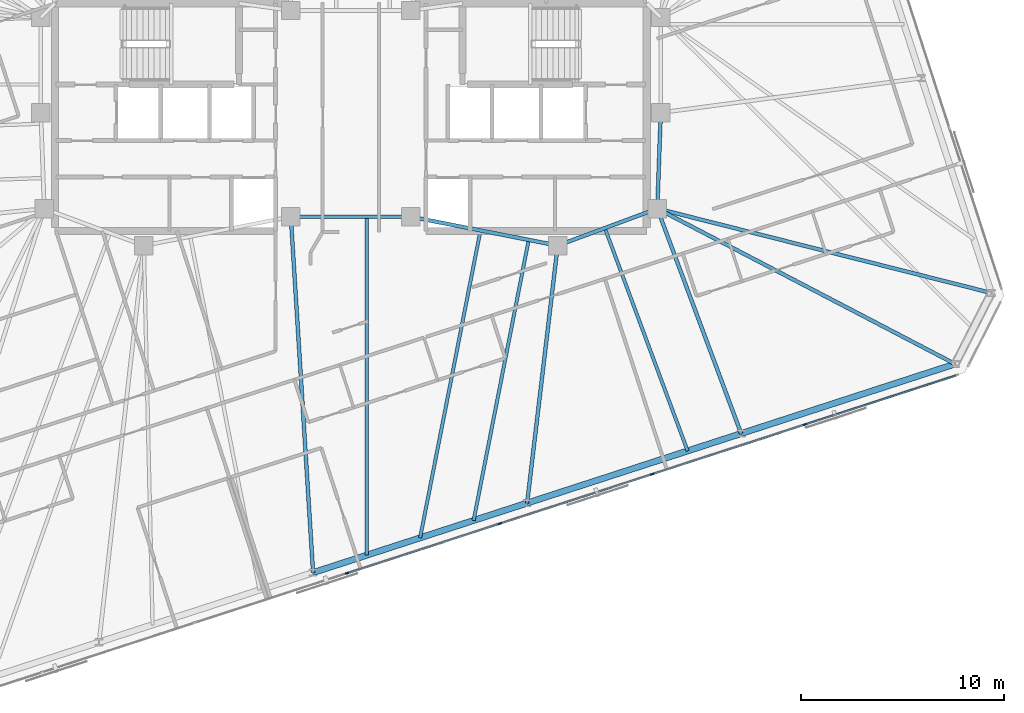
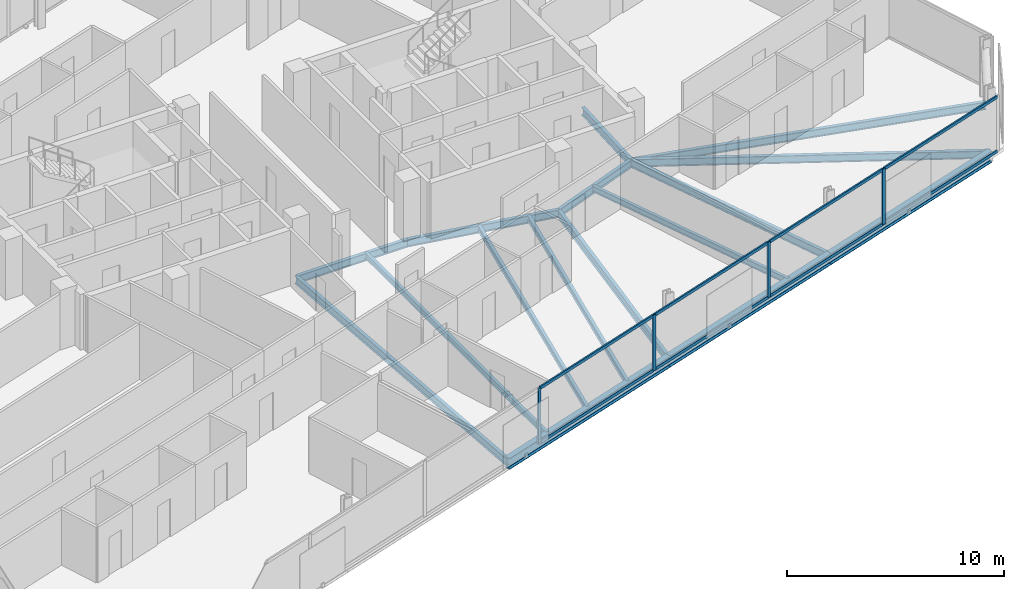
# One storey, part 7 of 20: 16 beams, 12 members, 1 element without a shape of its own.
"""IFC4 building model written with IfcOpenShell, lengths in metres."""

from ifc_helpers import new_model, si_unit, direction, frame, origin, origin_2d, place, context, subcontext, project, spatial, rectangle, i_section, extrude, material, material_profile, profile_set, type_object, element, aggregate, save


model = new_model("IFC4")

# Units and contexts
model_context = context("Model", 3, precision=1e-05, world=origin(), true_north=direction((0.0, 1.0)))
body_context = subcontext(model_context, "Body", "Model", "MODEL_VIEW")
ifc_project = project(units=[si_unit("LENGTHUNIT", "METRE"), si_unit("AREAUNIT", "SQUARE_METRE"), si_unit("VOLUMEUNIT", "CUBIC_METRE"), si_unit("PLANEANGLEUNIT", "RADIAN"), si_unit("MASSUNIT", "GRAM", prefix="KILO")], contexts=[model_context])

# Site, building, storey
site_placement = place(None, origin())
site = spatial("IfcSite", under=ifc_project, at=site_placement, CompositionType="ELEMENT")
building_placement = place(site_placement, origin())
building = spatial("IfcBuilding", under=site, at=building_placement, Name="Menara Jurai Vektor", CompositionType="ELEMENT")
storey_placement = place(building_placement, frame((0.0, 0.0, 217.60009765625)))
storey = spatial("IfcBuildingStorey", under=building, at=storey_placement, Name="L57", CompositionType="ELEMENT", Elevation=217.60009765625)

# Curtain wall, members
ifc_material_1 = material(Name="Anodised Pale Aluminium & Low-E Double Glazing", Category="aluminium")
curtain_wall_type = type_object("IfcCurtainWallType", Name="CW-BLK4", PredefinedType="NOTDEFINED", material=ifc_material_1)
curtain_wall_placement = place(storey_placement, origin())
curtain_wall = element("IfcCurtainWall", 1, at=curtain_wall_placement, inside=storey, type_object=curtain_wall_type, Name="Unitised Curtain Wall L57 F01", PredefinedType="NOTDEFINED")
ifc_material_2 = material(Name="Anodised Pale Aluminium Mullion", Category="aluminium")
ifc_material_profile_1 = material_profile(ifc_material_2, rectangle(XDim=0.080078125, YDim=0.18994140625, at=origin_2d()), Name="ALU MUL 80x190")
ifc_profile_set_1 = profile_set([ifc_material_profile_1], Name="Anodised Pale Aluminium Mullion")
member_type_1 = type_object("IfcMemberType", Name="CW-BLK4-MUL", PredefinedType="MULLION", material=ifc_profile_set_1)
member_1_placement = place(storey_placement, frame((-0.17236328125, -22.4404296875, 0.0), z_axis=(0.0, 0.0, 1.0), x_axis=(-0.309017344167, 0.951056402641, 0.0)))
member_1 = element("IfcMember", 2, at=member_1_placement, type_object=member_type_1, Name="CW-04 mullion 4", PredefinedType="MULLION", context=body_context, shape_type="SweptSolid", body=[
    extrude(rectangle(XDim=0.080078125, YDim=0.18994140625, at=origin_2d()), origin(), (0.0, 0.0, 1.0), 3.125),
])
member_2_placement = place(storey_placement, frame((7.3330078125, -20.001953125, 0.0), z_axis=(0.0, 0.0, 1.0), x_axis=(-0.309017344167, 0.951056402641, 0.0)))
member_2 = element("IfcMember", 3, at=member_2_placement, type_object=member_type_1, Name="CW-04 mullion 5", PredefinedType="MULLION", context=body_context, shape_type="SweptSolid", body=[
    extrude(rectangle(XDim=0.080078125, YDim=0.18994140625, at=origin_2d()), origin(), (0.0, 0.0, 1.0), 3.125),
])
member_3_placement = place(storey_placement, frame((14.838134765625, -17.563232421875, 0.0), z_axis=(0.0, 0.0, 1.0), x_axis=(-0.309017344167, 0.951056402641, 0.0)))
member_3 = element("IfcMember", 4, at=member_3_placement, type_object=member_type_1, Name="CW-04 mullion 6", PredefinedType="MULLION", context=body_context, shape_type="SweptSolid", body=[
    extrude(rectangle(XDim=0.080078125, YDim=0.18994140625, at=origin_2d()), origin(), (0.0, 0.0, 1.0), 3.125),
])
member_4_placement = place(storey_placement, frame((22.34326171875, -15.124755859375, 0.0), z_axis=(0.0, 0.0, 1.0), x_axis=(-0.309017344167, 0.951056402641, 0.0)))
member_4 = element("IfcMember", 5, at=member_4_placement, type_object=member_type_1, Name="CW-04 mullion 7", PredefinedType="MULLION", context=body_context, shape_type="SweptSolid", body=[
    extrude(rectangle(XDim=0.080078125, YDim=0.18994140625, at=origin_2d()), origin(), (0.0, 0.0, 1.0), 3.125),
])
ifc_material_3 = material(Name="Anodised Pale Aluminium Transom", Category="aluminium")
ifc_material_profile_2 = material_profile(ifc_material_3, rectangle(XDim=0.080078125, YDim=0.1650390625, at=origin_2d()), Name="ALU TRN 80x165")
ifc_profile_set_2 = profile_set([ifc_material_profile_2], Name="Anodised Pale Aluminium Transom")
member_type_2 = type_object("IfcMemberType", Name="CW-BLK4-TRN", PredefinedType="USERDEFINED", material=ifc_profile_set_2)
member_5_placement = place(storey_placement, frame((-0.13427734375, -22.427978515625, 0.039794921875), z_axis=(0.951059330237, 0.309008333817, 0.0), x_axis=(-0.309008333817, 0.951059330237, 0.0)))
member_5 = element("IfcMember", 6, at=member_5_placement, type_object=member_type_2, Name="CW-04 transom 4.1", ObjectType="TRANSOM", PredefinedType="USERDEFINED", context=body_context, shape_type="SweptSolid", body=[
    extrude(rectangle(XDim=0.080078125, YDim=0.1650390625, at=origin_2d()), origin(), (0.0, 0.0, 1.0), 7.8115234375),
])
member_6_placement = place(storey_placement, frame((-0.13427734375, -22.427978515625, 3.0849609375), z_axis=(0.951059330237, 0.309008333817, 0.0), x_axis=(-0.309008333817, 0.951059330237, 0.0)))
member_6 = element("IfcMember", 7, at=member_6_placement, type_object=member_type_2, Name="CW-04 transom 4.2", ObjectType="TRANSOM", PredefinedType="USERDEFINED", context=body_context, shape_type="SweptSolid", body=[
    extrude(rectangle(XDim=0.080078125, YDim=0.1650390625, at=origin_2d()), origin(), (0.0, 0.0, 1.0), 7.8115234375),
])
member_7_placement = place(storey_placement, frame((7.37109375, -19.989501953125, 0.039794921875), z_axis=(0.95105634578, 0.309017519167, 0.0), x_axis=(-0.309017519167, 0.95105634578, 0.0)))
member_7 = element("IfcMember", 8, at=member_7_placement, type_object=member_type_2, Name="CW-04 transom 5.1", ObjectType="TRANSOM", PredefinedType="USERDEFINED", context=body_context, shape_type="SweptSolid", body=[
    extrude(rectangle(XDim=0.080078125, YDim=0.1650390625, at=origin_2d()), origin(), (0.0, 0.0, 1.0), 7.811279296875),
])
member_8_placement = place(storey_placement, frame((7.37109375, -19.989501953125, 3.0849609375), z_axis=(0.95105634578, 0.309017519167, 0.0), x_axis=(-0.309017519167, 0.95105634578, 0.0)))
member_8 = element("IfcMember", 9, at=member_8_placement, type_object=member_type_2, Name="CW-04 transom 5.2", ObjectType="TRANSOM", PredefinedType="USERDEFINED", context=body_context, shape_type="SweptSolid", body=[
    extrude(rectangle(XDim=0.080078125, YDim=0.1650390625, at=origin_2d()), origin(), (0.0, 0.0, 1.0), 7.811279296875),
])
member_9_placement = place(storey_placement, frame((14.876220703125, -17.551025390625, 0.039794921875), z_axis=(0.95104715984, 0.309045789099, 0.0), x_axis=(-0.309045789099, 0.95104715984, 0.0)))
member_9 = element("IfcMember", 10, at=member_9_placement, type_object=member_type_2, Name="CW-04 transom 6.1", ObjectType="TRANSOM", PredefinedType="USERDEFINED", context=body_context, shape_type="SweptSolid", body=[
    extrude(rectangle(XDim=0.080078125, YDim=0.1650390625, at=origin_2d()), origin(), (0.0, 0.0, 1.0), 7.811279296875),
])
member_10_placement = place(storey_placement, frame((14.876220703125, -17.551025390625, 3.0849609375), z_axis=(0.95104715984, 0.309045789099, 0.0), x_axis=(-0.309045789099, 0.95104715984, 0.0)))
member_10 = element("IfcMember", 11, at=member_10_placement, type_object=member_type_2, Name="CW-04 transom 6.2", ObjectType="TRANSOM", PredefinedType="USERDEFINED", context=body_context, shape_type="SweptSolid", body=[
    extrude(rectangle(XDim=0.080078125, YDim=0.1650390625, at=origin_2d()), origin(), (0.0, 0.0, 1.0), 7.811279296875),
])
member_11_placement = place(storey_placement, frame((22.38134765625, -15.1123046875, 0.039794921875), z_axis=(0.951062230089, 0.308999408573, 0.0), x_axis=(-0.308999408573, 0.951062230089, 0.0)))
member_11 = element("IfcMember", 12, at=member_11_placement, type_object=member_type_2, Name="CW-04 transom 7.1", ObjectType="TRANSOM", PredefinedType="USERDEFINED", context=body_context, shape_type="SweptSolid", body=[
    extrude(rectangle(XDim=0.080078125, YDim=0.1650390625, at=origin_2d()), origin(), (0.0, 0.0, 1.0), 7.771484375),
])
member_12_placement = place(storey_placement, frame((22.38134765625, -15.1123046875, 3.0849609375), z_axis=(0.951062230089, 0.308999408573, 0.0), x_axis=(-0.308999408573, 0.951062230089, 0.0)))
member_12 = element("IfcMember", 13, at=member_12_placement, type_object=member_type_2, Name="CW-04 transom 7.2", ObjectType="TRANSOM", PredefinedType="USERDEFINED", context=body_context, shape_type="SweptSolid", body=[
    extrude(rectangle(XDim=0.080078125, YDim=0.1650390625, at=origin_2d()), origin(), (0.0, 0.0, 1.0), 7.771484375),
])
aggregate(curtain_wall, [member_1, member_2, member_3, member_4, member_5, member_6, member_7, member_8, member_9, member_10, member_11, member_12])

# Beams
ifc_material_4 = material(Name="Steel S355", Category="steel")
ifc_material_profile_3 = material_profile(ifc_material_4, i_section(OverallWidth=0.18505859375, OverallDepth=0.429931640625, WebThickness=0.010986328125, FlangeThickness=0.01806640625, at=origin_2d()), Name="PG 430x185x76")
ifc_profile_set_3 = profile_set([ifc_material_profile_3], Name="Steel S355")
beam_type_1 = type_object("IfcBeamType", Name="STR-BM-430", PredefinedType="BEAM", material=ifc_profile_set_3)
beam_1_placement = place(storey_placement, frame((15.080078125, -4.5, -0.440185546875), z_axis=(0.035977314146, 0.999352606874, 0.0), x_axis=(-0.999352606874, 0.035977314146, 0.0)))
element("IfcBeam", 14, at=beam_1_placement, inside=storey, type_object=beam_type_1, Name="Core Ring Header Girder L57-CHE-E2", PredefinedType="BEAM", context=body_context, shape_type="SweptSolid", body=[
    extrude(i_section(OverallWidth=0.18505859375, OverallDepth=0.429931640625, WebThickness=0.010986328125, FlangeThickness=0.01806640625, at=origin_2d()), origin(), (0.0, 0.0, 1.0), 4.72314453125),
])
beam_2_placement = place(storey_placement, frame((10.179931640625, -6.320068359375, -0.440185546875), z_axis=(0.937424400887, 0.348188874925, 0.0), x_axis=(-0.348188874925, 0.937424400887, 0.0)))
element("IfcBeam", 15, at=beam_2_placement, inside=storey, type_object=beam_type_1, Name="Core Ring Header Girder L57-CHE-S1", PredefinedType="BEAM", context=body_context, shape_type="SweptSolid", body=[
    extrude(i_section(OverallWidth=0.18505859375, OverallDepth=0.429931640625, WebThickness=0.010986328125, FlangeThickness=0.01806640625, at=origin_2d()), origin(), (0.0, 0.0, 1.0), 5.227294921875),
])
beam_3_placement = place(storey_placement, frame((2.949951171875, -4.89990234375, -0.440185546875), z_axis=(0.981249044334, -0.192744164614, 0.0), x_axis=(0.192744164614, 0.981249044334, 0.0)))
element("IfcBeam", 16, at=beam_3_placement, inside=storey, type_object=beam_type_1, Name="Core Ring Header Girder L57-CHE-S2", PredefinedType="BEAM", context=body_context, shape_type="SweptSolid", body=[
    extrude(i_section(OverallWidth=0.18505859375, OverallDepth=0.429931640625, WebThickness=0.010986328125, FlangeThickness=0.01806640625, at=origin_2d()), origin(), (0.0, 0.0, 1.0), 7.3681640625),
])
beam_4_placement = place(storey_placement, frame((-2.949951171875, -4.89990234375, -0.440185546875), z_axis=(1.0, 0.0, 0.0), x_axis=(0.0, 1.0, 0.0)))
element("IfcBeam", 17, at=beam_4_placement, inside=storey, type_object=beam_type_1, Name="Core Ring Header Girder L57-CC-1", PredefinedType="BEAM", context=body_context, shape_type="SweptSolid", body=[
    extrude(i_section(OverallWidth=0.18505859375, OverallDepth=0.429931640625, WebThickness=0.010986328125, FlangeThickness=0.01806640625, at=origin_2d()), origin(), (0.0, 0.0, 1.0), 5.89990234375),
])
beam_5_placement = place(storey_placement, frame((-1.854248046875, -22.40869140625, -0.440185546875), z_axis=(-0.062457995419, 0.998047593458, 0.0), x_axis=(-0.998047593458, -0.062457995419, 0.0)))
element("IfcBeam", 18, at=beam_5_placement, inside=storey, type_object=beam_type_1, Name="Radial Floor Girder L57-S3", PredefinedType="BEAM", context=body_context, shape_type="SweptSolid", body=[
    extrude(i_section(OverallWidth=0.18505859375, OverallDepth=0.429931640625, WebThickness=0.010986328125, FlangeThickness=0.01806640625, at=origin_2d()), origin(), (0.0, 0.0, 1.0), 17.54296875),
])
beam_6_placement = place(storey_placement, frame((8.675048828125, -18.987548828125, -0.440185546875), z_axis=(0.117969360513, 0.99301723549, 0.0), x_axis=(-0.99301723549, 0.117969360513, 0.0)))
element("IfcBeam", 19, at=beam_6_placement, inside=storey, type_object=beam_type_1, Name="Radial Floor Girder L57-S4", PredefinedType="BEAM", context=body_context, shape_type="SweptSolid", body=[
    extrude(i_section(OverallWidth=0.18505859375, OverallDepth=0.429931640625, WebThickness=0.010986328125, FlangeThickness=0.01806640625, at=origin_2d()), origin(), (0.0, 0.0, 1.0), 12.756591796875),
])
beam_7_placement = place(storey_placement, frame((19.204345703125, -15.56640625, -0.440185546875), z_axis=(-0.349219718154, 0.93704086808, 0.0), x_axis=(-0.93704086808, -0.349219718154, 0.0)))
element("IfcBeam", 20, at=beam_7_placement, inside=storey, type_object=beam_type_1, Name="Radial Floor Girder L57-S5", PredefinedType="BEAM", context=body_context, shape_type="SweptSolid", body=[
    extrude(i_section(OverallWidth=0.18505859375, OverallDepth=0.429931640625, WebThickness=0.010986328125, FlangeThickness=0.01806640625, at=origin_2d()), origin(), (0.0, 0.0, 1.0), 11.81005859375),
])
beam_8_placement = place(storey_placement, frame((29.7333984375, -12.14501953125, -0.440185546875), z_axis=(-0.886589587068, 0.462556919851, 0.0), x_axis=(-0.462556919851, -0.886589587068, 0.0)))
element("IfcBeam", 21, at=beam_8_placement, inside=storey, type_object=beam_type_1, Name="Radial Floor Girder L57-S6", PredefinedType="BEAM", context=body_context, shape_type="SweptSolid", body=[
    extrude(i_section(OverallWidth=0.18505859375, OverallDepth=0.429931640625, WebThickness=0.010986328125, FlangeThickness=0.01806640625, at=origin_2d()), origin(), (0.0, 0.0, 1.0), 16.52783203125),
])
beam_9_placement = place(storey_placement, frame((31.513427734375, -8.652099609375, -0.440185546875), z_axis=(-0.969531956771, 0.244964864418, 0.0), x_axis=(-0.244964864418, -0.969531956771, 0.0)))
element("IfcBeam", 22, at=beam_9_placement, inside=storey, type_object=beam_type_1, Name="Radial Floor Girder L57-E1", PredefinedType="BEAM", context=body_context, shape_type="SweptSolid", body=[
    extrude(i_section(OverallWidth=0.18505859375, OverallDepth=0.429931640625, WebThickness=0.010986328125, FlangeThickness=0.01806640625, at=origin_2d()), origin(), (0.0, 0.0, 1.0), 16.94970703125),
])
ifc_material_profile_4 = material_profile(ifc_material_4, i_section(OverallWidth=0.1650390625, OverallDepth=0.330078125, WebThickness=0.009033203125, FlangeThickness=0.013916015625, at=origin_2d()), Name="PG 330x165x46")
ifc_profile_set_4 = profile_set([ifc_material_profile_4], Name="Steel S355")
beam_type_2 = type_object("IfcBeamType", Name="STR-JS-330", PredefinedType="JOIST", material=ifc_profile_set_4)
beam_10_placement = place(storey_placement, frame((0.778076171875, -21.55322265625, -0.39013671875), z_axis=(0.0, 1.0, 0.0), x_axis=(-1.0, 0.0, 0.0)))
element("IfcBeam", 23, at=beam_10_placement, inside=storey, type_object=beam_type_2, Name="Radial Secondary Floor Joist L57-JS05", PredefinedType="JOIST", context=body_context, shape_type="SweptSolid", body=[
    extrude(i_section(OverallWidth=0.1650390625, OverallDepth=0.330078125, WebThickness=0.009033203125, FlangeThickness=0.013916015625, at=origin_2d()), origin(), (0.0, 0.0, 1.0), 16.6533203125),
])
beam_11_placement = place(storey_placement, frame((3.410400390625, -20.697998046875, -0.39013671875), z_axis=(0.192721610081, 0.981253474393, 0.0), x_axis=(-0.981253474393, 0.192721610081, 0.0)))
element("IfcBeam", 24, at=beam_11_placement, inside=storey, type_object=beam_type_2, Name="Radial Secondary Floor Joist L57-JS06", PredefinedType="JOIST", context=body_context, shape_type="SweptSolid", body=[
    extrude(i_section(OverallWidth=0.1650390625, OverallDepth=0.330078125, WebThickness=0.009033203125, FlangeThickness=0.013916015625, at=origin_2d()), origin(), (0.0, 0.0, 1.0), 15.413330078125),
])
beam_12_placement = place(storey_placement, frame((6.042724609375, -19.8427734375, -0.39013671875), z_axis=(0.192720535629, 0.981253685418, 0.0), x_axis=(-0.981253685418, 0.192720535629, 0.0)))
element("IfcBeam", 25, at=beam_12_placement, inside=storey, type_object=beam_type_2, Name="Radial Secondary Floor Joist L57-JS07", PredefinedType="JOIST", context=body_context, shape_type="SweptSolid", body=[
    extrude(i_section(OverallWidth=0.1650390625, OverallDepth=0.330078125, WebThickness=0.009033203125, FlangeThickness=0.013916015625, at=origin_2d()), origin(), (0.0, 0.0, 1.0), 14.066650390625),
])
beam_13_placement = place(storey_placement, frame((16.572021484375, -16.421630859375, -0.39013671875), z_axis=(-0.348179715909, 0.937427802782, 0.0), x_axis=(-0.937427802782, -0.348179715909, 0.0)))
element("IfcBeam", 26, at=beam_13_placement, inside=storey, type_object=beam_type_2, Name="Radial Secondary Floor Joist L57-JS08", PredefinedType="JOIST", context=body_context, shape_type="SweptSolid", body=[
    extrude(i_section(OverallWidth=0.1650390625, OverallDepth=0.330078125, WebThickness=0.009033203125, FlangeThickness=0.013916015625, at=origin_2d()), origin(), (0.0, 0.0, 1.0), 11.695068359375),
])
ifc_material_profile_5 = material_profile(ifc_material_4, i_section(OverallWidth=0.306884765625, OverallDepth=0.6201171875, WebThickness=0.013916015625, FlangeThickness=0.02392578125, FilletRadius=0.01708984375, at=origin_2d()), Name="UKB 610x305x179")
ifc_profile_set_5 = profile_set([ifc_material_profile_5], Name="Steel S355")
beam_type_3 = type_object("IfcBeamType", Name="STR-SP-610", PredefinedType="SPANDREL", material=ifc_profile_set_5)
for number, where, z_axis, x_axis, name in (
    (27, (-1.854248046875, -22.40869140625, -0.53515625), (0.951057401967, 0.309014268544, 0.0), (-0.309014268544, 0.951057401967, 0.0), "Exoskeleton Spandrel Beam L57-03"),
    (28, (8.675048828125, -18.987548828125, -0.53515625), (0.951057401967, 0.309014268544, 0.0), (-0.309014268544, 0.951057401967, 0.0), "Exoskeleton Spandrel Beam L57-04"),
    (29, (19.204345703125, -15.56640625, -0.53515625), (0.951048814879, 0.309040695892, 0.0), (-0.309040695892, 0.951048814879, 0.0), "Exoskeleton Spandrel Beam L57-05"),
):
    element("IfcBeam", number, at=place(storey_placement, frame(where, z_axis=z_axis, x_axis=x_axis)), inside=storey, type_object=beam_type_3, Name=name, PredefinedType="SPANDREL", context=body_context, shape_type="SweptSolid", body=[
        extrude(i_section(OverallWidth=0.306884765625, OverallDepth=0.6201171875, WebThickness=0.013916015625, FlangeThickness=0.02392578125, FilletRadius=0.01708984375, at=origin_2d()), origin(), (0.0, 0.0, 1.0), 11.071044921875),
    ])

save(model, "model.ifc")
